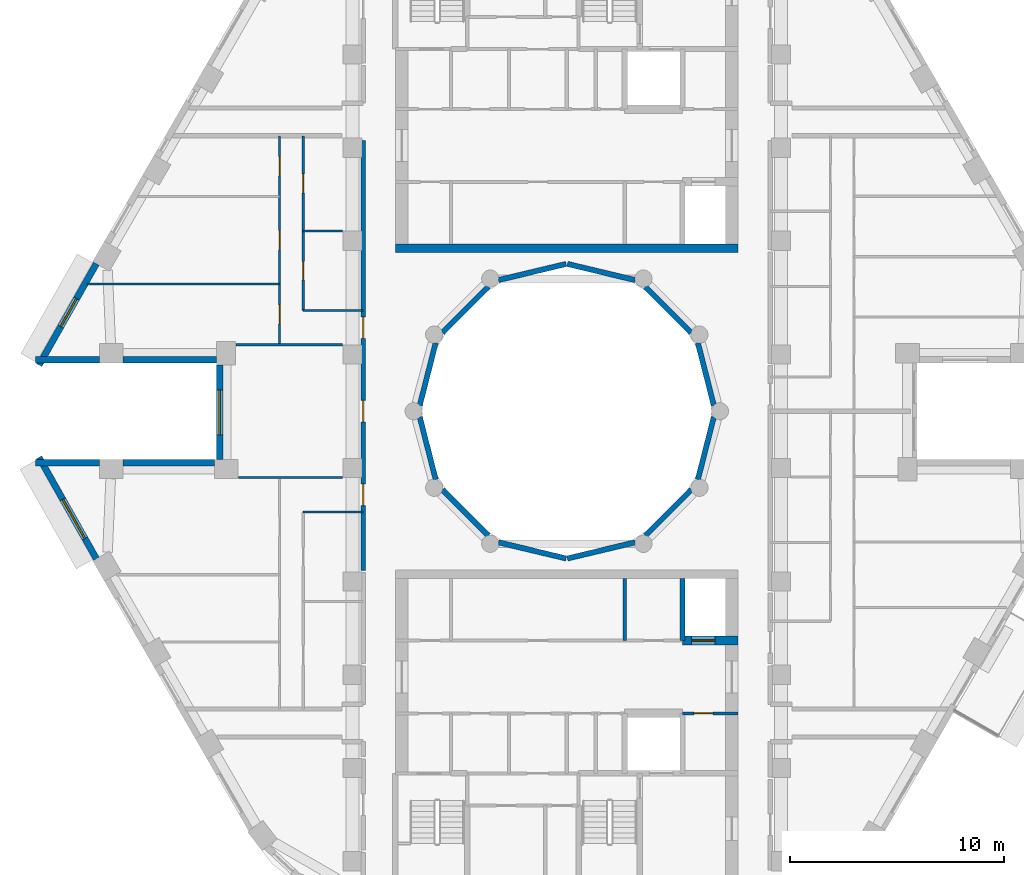
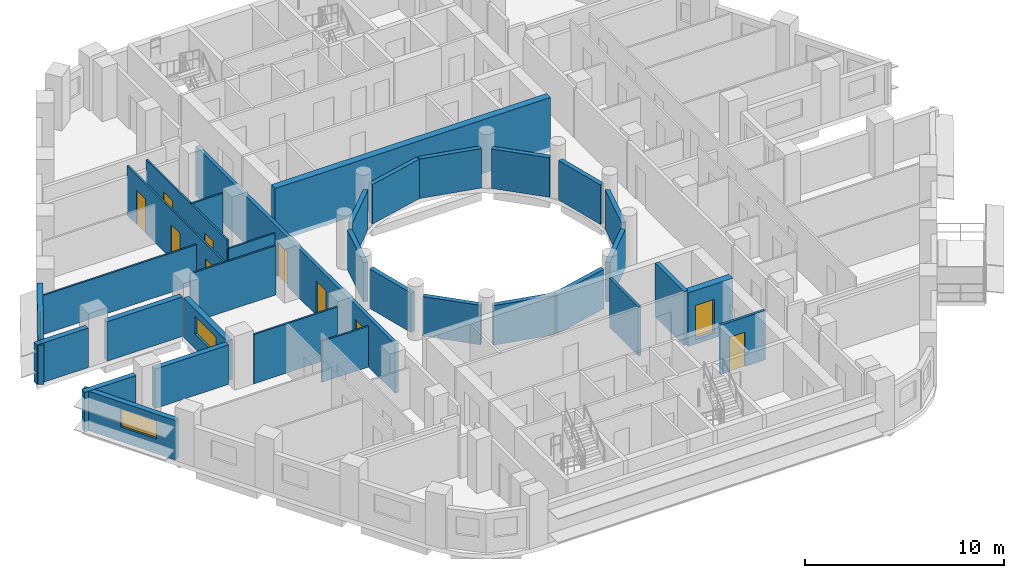
# One storey, part 4 of 12: 33 walls, 10 doors, 3 windows, 13 openings.
"""IFC4 building model written with IfcOpenShell, lengths in metres."""

from ifc_helpers import new_model, si_unit, direction, frame, frame_2d, origin, place, context, subcontext, project, spatial, rectangle, extrude, material, layer, layer_set, type_object, element, fill, save


model = new_model("IFC4")

# Units and contexts
model_context = context("Model", 3, precision=1e-05, world=origin(), true_north=direction((0.0, 1.0)))
body_context = subcontext(model_context, "Body", "Model", "MODEL_VIEW")
ifc_project = project(units=[si_unit("LENGTHUNIT", "METRE"), si_unit("AREAUNIT", "SQUARE_METRE"), si_unit("VOLUMEUNIT", "CUBIC_METRE"), si_unit("PLANEANGLEUNIT", "RADIAN"), si_unit("MASSUNIT", "GRAM", prefix="KILO")], contexts=[model_context])

# Site, building, storey
site_placement = place(None, origin())
site = spatial("IfcSite", under=ifc_project, at=site_placement, CompositionType="ELEMENT")
building_placement = place(site_placement, origin())
building = spatial("IfcBuilding", under=site, at=building_placement, Name="Nakaniwa Court", CompositionType="ELEMENT")
storey_placement = place(building_placement, frame((0.0, 0.0, 232.800048828125)))
storey = spatial("IfcBuildingStorey", under=building, at=storey_placement, Name="L60", CompositionType="ELEMENT", Elevation=232.800048828125)

# Wall, openings, doors
ifc_material_1 = material(Name="Acoustic double stud partition")
ifc_layer_1 = layer(ifc_material_1, 0.199951171875)
ifc_layer_set_1 = layer_set([ifc_layer_1], Name="Acoustic double stud partition")
wall_type_1 = type_object("IfcWallType", Name="Acoustic double stud partition 200", PredefinedType="PARTITIONING", material=ifc_layer_set_1)
wall_1_placement = place(storey_placement, frame((70.5, 72.576904296875, 0.0), z_axis=(0.0, 0.0, 1.0), x_axis=(0.0, 1.0, 0.0)))
wall_1 = element("IfcWall", 1, at=wall_1_placement, inside=storey, type_object=wall_type_1, Name="Partition PW-086", PredefinedType="PARTITIONING", context=body_context, shape_type="SweptSolid", body=[
    extrude(rectangle(XDim=20.051025390625, YDim=0.199951171875, at=frame_2d((10.025390625, 0.0))), origin(), (0.0, 0.0, 1.0), 3.02490234375),
])
opening_1_placement = place(wall_1_placement, frame((3.02294921875, 0.0, 0.0)))
opening_1 = element("IfcOpeningElement", 2, at=opening_1_placement, cuts=wall_1, Name="Opening D-01-03", PredefinedType="OPENING", context=body_context, shape_type="SweptSolid", body=[
    extrude(rectangle(XDim=1.0, YDim=2.10009765625, at=frame_2d((0.5, 1.050048828125))), frame((0.0, 0.10986328125, 0.0), z_axis=(0.0, -1.0, 0.0), x_axis=(1.0, 0.0, 0.0)), (0.0, 0.0, 1.0), 0.219970703125),
])
opening_2_placement = place(wall_1_placement, frame((6.923095703125, 0.0, 0.0)))
opening_2 = element("IfcOpeningElement", 3, at=opening_2_placement, cuts=wall_1, Name="Opening D-02-04", PredefinedType="OPENING", context=body_context, shape_type="SweptSolid", body=[
    extrude(rectangle(XDim=1.0, YDim=2.10009765625, at=frame_2d((0.5, 1.050048828125))), frame((0.0, 0.10986328125, 0.0), z_axis=(0.0, -1.0, 0.0), x_axis=(1.0, 0.0, 0.0)), (0.0, 0.0, 1.0), 0.219970703125),
])
opening_3_placement = place(wall_1_placement, frame((10.822998046875, 0.0, 0.0)))
opening_3 = element("IfcOpeningElement", 4, at=opening_3_placement, cuts=wall_1, Name="Opening D-01-04", PredefinedType="OPENING", context=body_context, shape_type="SweptSolid", body=[
    extrude(rectangle(XDim=1.0, YDim=2.10009765625, at=frame_2d((0.5, 1.050048828125))), frame((0.0, 0.10986328125, 0.0), z_axis=(0.0, -1.0, 0.0), x_axis=(1.0, 0.0, 0.0)), (0.0, 0.0, 1.0), 0.219970703125),
])
ifc_material_2 = material(Name="Solid core timber door set, black veneer", Category="wood")
door_type_1 = type_object("IfcDoorType", Name="Flat entrance door 1000", OperationType="NOTDEFINED", PredefinedType="DOOR", material=ifc_material_2)
door_1_placement = place(opening_1_placement, origin())
door_1 = element("IfcDoor", 5, at=door_1_placement, inside=storey, type_object=door_type_1, Name="Door D-01-03 L60-048", OperationType="SINGLE_SWING_LEFT", OverallHeight=2.10009765625, OverallWidth=1.0, PredefinedType="DOOR", context=body_context, shape_type="SweptSolid", body=[
    extrude(rectangle(XDim=1.0, YDim=2.10009765625, at=frame_2d((0.5, 1.050048828125))), frame((0.0, 0.02490234375, 0.0), z_axis=(0.0, -1.0, 0.0), x_axis=(1.0, 0.0, 0.0)), (0.0, 0.0, 1.0), 0.050048828125),
])
fill(opening_1, door_1)
door_2_placement = place(opening_3_placement, origin())
door_2 = element("IfcDoor", 6, at=door_2_placement, inside=storey, type_object=door_type_1, Name="Door D-01-04 L60-055", OperationType="SINGLE_SWING_RIGHT", OverallHeight=2.10009765625, OverallWidth=1.0, PredefinedType="DOOR", context=body_context, shape_type="SweptSolid", body=[
    extrude(rectangle(XDim=1.0, YDim=2.10009765625, at=frame_2d((0.5, 1.050048828125))), frame((0.0, 0.02490234375, 0.0), z_axis=(0.0, -1.0, 0.0), x_axis=(1.0, 0.0, 0.0)), (0.0, 0.0, 1.0), 0.050048828125),
])
fill(opening_3, door_2)
door_type_2 = type_object("IfcDoorType", Name="Internal door 1000", OperationType="NOTDEFINED", PredefinedType="DOOR", material=ifc_material_2)
door_3_placement = place(opening_2_placement, origin())
door_3 = element("IfcDoor", 7, at=door_3_placement, inside=storey, type_object=door_type_2, Name="Door D-02-04 L60-054", OperationType="SINGLE_SWING_LEFT", OverallHeight=2.10009765625, OverallWidth=1.0, PredefinedType="DOOR", context=body_context, shape_type="SweptSolid", body=[
    extrude(rectangle(XDim=1.0, YDim=2.10009765625, at=frame_2d((0.5, 1.050048828125))), frame((0.0, 0.02490234375, 0.0), z_axis=(0.0, -1.0, 0.0), x_axis=(1.0, 0.0, 0.0)), (0.0, 0.0, 1.0), 0.050048828125),
])
fill(opening_2, door_3)

# Wall, opening, window
ifc_material_3 = material(Name="Charcoal ceramic cladding")
ifc_layer_2 = layer(ifc_material_3, 0.02, Name="Ceramic cladding")
ifc_material_4 = material(Name="Ventilated air cavity")
ifc_layer_3 = layer(ifc_material_4, 0.04, ventilated=True, Name="Ventilated cavity")
ifc_material_5 = material(Name="Mineral wool insulation")
ifc_layer_4 = layer(ifc_material_5, 0.1, Name="Insulation")
ifc_material_6 = material(Name="Cement bonded sheathing board")
ifc_layer_5 = layer(ifc_material_6, 0.012, Name="Sheathing")
ifc_material_7 = material(Name="Cold-formed galvanised stud frame with mineral wool infill")
ifc_layer_6 = layer(ifc_material_7, 0.1, Name="Stud frame")
ifc_material_8 = material(Name="Fire-rated gypsum plasterboard lining")
ifc_layer_7 = layer(ifc_material_8, 0.028, Name="Lining")
ifc_layer_set_2 = layer_set([ifc_layer_2, ifc_layer_3, ifc_layer_4, ifc_layer_5, ifc_layer_6, ifc_layer_7], Name="Charcoal ceramic faced external wall system")
wall_type_2 = type_object("IfcWallType", Name="Black ceramic faced external wall 300", PredefinedType="SOLIDWALL", material=ifc_layer_set_2)
wall_2_placement = place(storey_placement, frame((58.048095703125, 86.886474609375, 0.0), z_axis=(0.0, 0.0, 1.0), x_axis=(-0.492080931903, -0.870549456641, 0.0)))
wall_2 = element("IfcWall", 8, at=wall_2_placement, inside=storey, type_object=wall_type_2, Name="L60 external wall 14", PredefinedType="SOLIDWALL", context=body_context, shape_type="SweptSolid", body=[
    extrude(rectangle(XDim=5.436767578125, YDim=0.300048828125, at=frame_2d((2.71826171875, 0.0))), origin(), (0.0, 0.0, 1.0), 2.425048828125),
])
opening_4_placement = place(wall_2_placement, frame((1.877685546875, 0.0, 0.89990234375)))
opening_4 = element("IfcOpeningElement", 9, at=opening_4_placement, cuts=wall_2, Name="Opening W5.17", PredefinedType="OPENING", context=body_context, shape_type="SweptSolid", body=[
    extrude(rectangle(XDim=1.5, YDim=1.10009765625, at=frame_2d((0.75, 0.550048828125))), frame((0.0, 0.159912109375, 0.0), z_axis=(0.0, -1.0, 0.0), x_axis=(1.0, 0.0, 0.0)), (0.0, 0.0, 1.0), 0.320068359375),
])
ifc_material_9 = material(Name="Black anodised aluminium frame with dark low-E laminated double glazing", Category="aluminium")
window_type_1 = type_object("IfcWindowType", Name="Dark glass window 1500x1100 sill 900", PartitioningType="SINGLE_PANEL", PredefinedType="WINDOW", material=ifc_material_9)
window_1_placement = place(opening_4_placement, origin())
window_1 = element("IfcWindow", 10, at=window_1_placement, inside=storey, type_object=window_type_1, Name="L60 bedroom window 14-1", OverallHeight=1.10009765625, OverallWidth=1.5, PartitioningType="SINGLE_PANEL", PredefinedType="WINDOW", context=body_context, shape_type="SweptSolid", body=[
    extrude(rectangle(XDim=1.5, YDim=1.10009765625, at=frame_2d((0.75, 0.550048828125))), frame((0.0, 0.030029296875, 0.0), z_axis=(0.0, -1.0, 0.0), x_axis=(1.0, 0.0, 0.0)), (0.0, 0.0, 1.0), 0.06005859375),
])
fill(opening_4, window_1)

# Walls
wall_3_placement = place(storey_placement, frame((55.2021484375, 82.39990234375, 0.0), z_axis=(0.0, 0.0, 1.0), x_axis=(1.0, 0.0, 0.0)))
element("IfcWall", 11, at=wall_3_placement, inside=storey, type_object=wall_type_2, Name="L60 external wall 15", PredefinedType="SOLIDWALL", context=body_context, shape_type="SweptSolid", body=[
    extrude(rectangle(XDim=2.98779296875, YDim=0.300048828125, at=frame_2d((1.493896484375, 0.0))), origin(), (0.0, 0.0, 1.0), 2.425048828125),
])
wall_4_placement = place(storey_placement, frame((59.281982421875, 82.39990234375, 0.0), z_axis=(0.0, 0.0, 1.0), x_axis=(1.0, 0.0, 0.0)))
element("IfcWall", 12, at=wall_4_placement, inside=storey, type_object=wall_type_2, Name="L60 external wall 16", PredefinedType="SOLIDWALL", context=body_context, shape_type="SweptSolid", body=[
    extrude(rectangle(XDim=4.37255859375, YDim=0.300048828125, at=frame_2d((2.186279296875, 0.0))), origin(), (0.0, 0.0, 1.0), 2.425048828125),
])

# Wall, opening, window
wall_5_placement = place(storey_placement, frame((63.800537109375, 82.154052734375, 0.0), z_axis=(0.0, 0.0, 1.0), x_axis=(0.0, -1.0, 0.0)))
wall_5 = element("IfcWall", 13, at=wall_5_placement, inside=storey, type_object=wall_type_2, Name="L60 external wall 17", PredefinedType="SOLIDWALL", context=body_context, shape_type="SweptSolid", body=[
    extrude(rectangle(XDim=4.407958984375, YDim=0.300048828125, at=frame_2d((2.2041015625, 0.0))), origin(), (0.0, 0.0, 1.0), 2.425048828125),
])
opening_5_placement = place(wall_5_placement, frame((1.154052734375, 0.0, 0.89990234375)))
opening_5 = element("IfcOpeningElement", 14, at=opening_5_placement, cuts=wall_5, Name="Opening W7.18", PredefinedType="OPENING", context=body_context, shape_type="SweptSolid", body=[
    extrude(rectangle(XDim=2.10009765625, YDim=1.10009765625, at=frame_2d((1.050048828125, 0.550048828125))), frame((0.0, 0.159912109375, 0.0), z_axis=(0.0, -1.0, 0.0), x_axis=(1.0, 0.0, 0.0)), (0.0, 0.0, 1.0), 0.320068359375),
])
window_type_2 = type_object("IfcWindowType", Name="Dark glass window 2100x1100 sill 900", PartitioningType="SINGLE_PANEL", PredefinedType="WINDOW", material=ifc_material_9)
window_2_placement = place(opening_5_placement, origin())
window_2 = element("IfcWindow", 15, at=window_2_placement, inside=storey, type_object=window_type_2, Name="L60 habitable room window 17-0", OverallHeight=1.10009765625, OverallWidth=2.10009765625, PartitioningType="SINGLE_PANEL", PredefinedType="WINDOW", context=body_context, shape_type="SweptSolid", body=[
    extrude(rectangle(XDim=2.10009765625, YDim=1.10009765625, at=frame_2d((1.050048828125, 0.550048828125))), frame((0.0, 0.030029296875, 0.0), z_axis=(0.0, -1.0, 0.0), x_axis=(1.0, 0.0, 0.0)), (0.0, 0.0, 1.0), 0.06005859375),
])
fill(opening_5, window_2)

# Walls
wall_6_placement = place(storey_placement, frame((63.554443359375, 77.60009765625, 0.0), z_axis=(0.0, 0.0, 1.0), x_axis=(-1.0, 0.0, 0.0)))
element("IfcWall", 16, at=wall_6_placement, inside=storey, type_object=wall_type_2, Name="L60 external wall 18", PredefinedType="SOLIDWALL", context=body_context, shape_type="SweptSolid", body=[
    extrude(rectangle(XDim=4.2724609375, YDim=0.300048828125, at=frame_2d((2.13623046875, 0.0))), origin(), (0.0, 0.0, 1.0), 2.425048828125),
])
wall_7_placement = place(storey_placement, frame((58.18994140625, 77.60009765625, 0.0), z_axis=(0.0, 0.0, 1.0), x_axis=(-1.0, 0.0, 0.0)))
element("IfcWall", 17, at=wall_7_placement, inside=storey, type_object=wall_type_2, Name="L60 external wall 19", PredefinedType="SOLIDWALL", context=body_context, shape_type="SweptSolid", body=[
    extrude(rectangle(XDim=2.98779296875, YDim=0.300048828125, at=frame_2d((1.493896484375, 0.0))), origin(), (0.0, 0.0, 1.0), 2.425048828125),
])

# Wall, opening, window
wall_8_placement = place(storey_placement, frame((55.372802734375, 77.846435546875, 0.0), z_axis=(0.0, 0.0, 1.0), x_axis=(0.492080931903, -0.870549456641, 0.0)))
wall_8 = element("IfcWall", 18, at=wall_8_placement, inside=storey, type_object=wall_type_2, Name="L60 external wall 20", PredefinedType="SOLIDWALL", context=body_context, shape_type="SweptSolid", body=[
    extrude(rectangle(XDim=5.436767578125, YDim=0.300048828125, at=frame_2d((2.71826171875, 0.0))), origin(), (0.0, 0.0, 1.0), 2.425048828125),
])
opening_6_placement = place(wall_8_placement, frame((2.247314453125, 0.0, 0.89990234375)))
opening_6 = element("IfcOpeningElement", 19, at=opening_6_placement, cuts=wall_8, Name="Opening W7.19", PredefinedType="OPENING", context=body_context, shape_type="SweptSolid", body=[
    extrude(rectangle(XDim=2.10009765625, YDim=1.10009765625, at=frame_2d((1.050048828125, 0.550048828125))), frame((0.0, 0.159912109375, 0.0), z_axis=(0.0, -1.0, 0.0), x_axis=(1.0, 0.0, 0.0)), (0.0, 0.0, 1.0), 0.320068359375),
])
window_3_placement = place(opening_6_placement, origin())
window_3 = element("IfcWindow", 20, at=window_3_placement, inside=storey, type_object=window_type_2, Name="L60 living window 20-0", OverallHeight=1.10009765625, OverallWidth=2.10009765625, PartitioningType="SINGLE_PANEL", PredefinedType="WINDOW", context=body_context, shape_type="SweptSolid", body=[
    extrude(rectangle(XDim=2.10009765625, YDim=1.10009765625, at=frame_2d((1.050048828125, 0.550048828125))), frame((0.0, 0.030029296875, 0.0), z_axis=(0.0, -1.0, 0.0), x_axis=(1.0, 0.0, 0.0)), (0.0, 0.0, 1.0), 0.06005859375),
])
fill(opening_6, window_3)

# Wall
ifc_material_10 = material(Name="Blockwork partition", Category="masonry")
ifc_layer_8 = layer(ifc_material_10, 0.14990234375)
ifc_layer_set_3 = layer_set([ifc_layer_8], Name="Blockwork partition")
wall_type_3 = type_object("IfcWallType", Name="Blockwork partition 150", PredefinedType="PARTITIONING", material=ifc_layer_set_3)
wall_9_placement = place(storey_placement, frame((82.699951171875, 69.300048828125, 0.0), z_axis=(0.0, 0.0, 1.0), x_axis=(0.0, 1.0, 0.0)))
element("IfcWall", 21, at=wall_9_placement, inside=storey, type_object=wall_type_3, Name="Partition PW-037", PredefinedType="PARTITIONING", context=body_context, shape_type="SweptSolid", body=[
    extrude(rectangle(XDim=2.89990234375, YDim=0.14990234375, at=frame_2d((1.449951171875, 0.0))), origin(), (0.0, 0.0, 1.0), 3.02490234375),
])

# Wall, opening, door
wall_10_placement = place(storey_placement, frame((88.0, 65.89990234375, 0.0), z_axis=(0.0, 0.0, 1.0), x_axis=(-1.0, 0.0, 0.0)))
wall_10 = element("IfcWall", 22, at=wall_10_placement, inside=storey, type_object=wall_type_3, Name="Partition PW-039", PredefinedType="PARTITIONING", context=body_context, shape_type="SweptSolid", body=[
    extrude(rectangle(XDim=2.60302734375, YDim=0.14990234375, at=frame_2d((1.301513671875, 0.0))), origin(), (0.0, 0.0, 1.0), 3.02490234375),
])
opening_7_placement = place(wall_10_placement, frame((1.175048828125, 0.0, 0.0)))
opening_7 = element("IfcOpeningElement", 23, at=opening_7_placement, cuts=wall_10, Name="Opening D-05-16", PredefinedType="OPENING", context=body_context, shape_type="SweptSolid", body=[
    extrude(rectangle(XDim=0.89990234375, YDim=2.10009765625, at=frame_2d((0.449951171875, 1.050048828125))), frame((0.0, 0.0849609375, 0.0), z_axis=(0.0, -1.0, 0.0), x_axis=(1.0, 0.0, 0.0)), (0.0, 0.0, 1.0), 0.169921875),
])
ifc_material_11 = material(Name="Fire rated steel door set", Category="steel")
door_type_3 = type_object("IfcDoorType", Name="Service room door 900", OperationType="NOTDEFINED", PredefinedType="DOOR", material=ifc_material_11)
door_4_placement = place(opening_7_placement, origin())
door_4 = element("IfcDoor", 24, at=door_4_placement, inside=storey, type_object=door_type_3, Name="Door D-05-16 L60-023", OperationType="SINGLE_SWING_RIGHT", OverallHeight=2.10009765625, OverallWidth=0.89990234375, PredefinedType="DOOR", context=body_context, shape_type="SweptSolid", body=[
    extrude(rectangle(XDim=0.89990234375, YDim=2.10009765625, at=frame_2d((0.449951171875, 1.050048828125))), frame((0.0, 0.02490234375, 0.0), z_axis=(0.0, -1.0, 0.0), x_axis=(1.0, 0.0, 0.0)), (0.0, 0.0, 1.0), 0.050048828125),
])
fill(opening_7, door_4)

# Walls
ifc_layer_9 = layer(ifc_material_3, 0.02, Name="Ceramic cladding")
ifc_layer_10 = layer(ifc_material_4, 0.04, ventilated=True, Name="Ventilated cavity")
ifc_layer_11 = layer(ifc_material_5, 0.075, Name="Insulation")
ifc_layer_12 = layer(ifc_material_6, 0.012, Name="Sheathing")
ifc_layer_13 = layer(ifc_material_7, 0.075, Name="Stud frame")
ifc_layer_14 = layer(ifc_material_8, 0.028, Name="Lining")
ifc_layer_set_4 = layer_set([ifc_layer_9, ifc_layer_10, ifc_layer_11, ifc_layer_12, ifc_layer_13, ifc_layer_14], Name="Charcoal ceramic faced external wall system")
wall_type_4 = type_object("IfcWallType", Name="Charcoal ceramic faced well wall 250", PredefinedType="SOLIDWALL", material=ifc_layer_set_4)
wall_11_placement = place(storey_placement, frame((86.8603515625, 79.72998046875, 0.0), z_axis=(0.0, 0.0, 1.0), x_axis=(-0.247055971283, -0.969001211069, 0.0)))
element("IfcWall", 25, at=wall_11_placement, inside=storey, type_object=wall_type_4, Name="L60 external wall 36", PredefinedType="SOLIDWALL", context=body_context, shape_type="SweptSolid", body=[
    extrude(rectangle(XDim=3.010009765625, YDim=0.25, at=frame_2d((1.5048828125, 0.0))), origin(), (0.0, 0.0, 1.0), 2.425048828125),
])
wall_12_placement = place(storey_placement, frame((85.8056640625, 76.339111328125, 0.0), z_axis=(0.0, 0.0, 1.0), x_axis=(-0.707106781187, -0.707106781187, 0.0)))
element("IfcWall", 26, at=wall_12_placement, inside=storey, type_object=wall_type_4, Name="L60 external wall 37", PredefinedType="SOLIDWALL", context=body_context, shape_type="SweptSolid", body=[
    extrude(rectangle(XDim=3.033203125, YDim=0.25, at=frame_2d((1.5166015625, 0.0))), origin(), (0.0, 0.0, 1.0), 2.425048828125),
])
for number, where, z_axis, x_axis, name in (
    (27, (83.186279296875, 73.880615234375, 0.0), (0.0, 0.0, 1.0), (-0.972773113459, -0.231759508395, 0.0), "L60 external wall 38"),
    (28, (79.970947265625, 73.12841796875, 0.0), (0.0, 0.0, 1.0), (-0.972773113459, 0.231759508395, 0.0), "L60 external wall 39"),
):
    element("IfcWall", number, at=place(storey_placement, frame(where, z_axis=z_axis, x_axis=x_axis)), inside=storey, type_object=wall_type_4, Name=name, PredefinedType="SOLIDWALL", context=body_context, shape_type="SweptSolid", body=[
        extrude(rectangle(XDim=3.24560546875, YDim=0.25, at=frame_2d((1.622802734375, 0.0))), origin(), (0.0, 0.0, 1.0), 2.425048828125),
    ])
wall_13_placement = place(storey_placement, frame((76.339111328125, 74.1943359375, 0.0), z_axis=(0.0, 0.0, 1.0), x_axis=(-0.707106781187, 0.707106781187, 0.0)))
element("IfcWall", 29, at=wall_13_placement, inside=storey, type_object=wall_type_4, Name="L60 external wall 40", PredefinedType="SOLIDWALL", context=body_context, shape_type="SweptSolid", body=[
    extrude(rectangle(XDim=3.033203125, YDim=0.25, at=frame_2d((1.5166015625, 0.0))), origin(), (0.0, 0.0, 1.0), 2.425048828125),
])
for number, where, z_axis, x_axis, name in (
    (30, (73.88330078125, 76.813232421875, 0.0), (0.0, 0.0, 1.0), (-0.247055971283, 0.969001211069, 0.0), "L60 external wall 41"),
    (31, (73.1396484375, 80.27001953125, 0.0), (0.0, 0.0, 1.0), (0.247055971283, 0.969001211069, 0.0), "L60 external wall 42"),
):
    element("IfcWall", number, at=place(storey_placement, frame(where, z_axis=z_axis, x_axis=x_axis)), inside=storey, type_object=wall_type_4, Name=name, PredefinedType="SOLIDWALL", context=body_context, shape_type="SweptSolid", body=[
        extrude(rectangle(XDim=3.010009765625, YDim=0.25, at=frame_2d((1.5048828125, 0.0))), origin(), (0.0, 0.0, 1.0), 2.425048828125),
    ])
wall_14_placement = place(storey_placement, frame((74.1943359375, 83.660888671875, 0.0), z_axis=(0.0, 0.0, 1.0), x_axis=(0.707106781187, 0.707106781187, 0.0)))
element("IfcWall", 32, at=wall_14_placement, inside=storey, type_object=wall_type_4, Name="L60 external wall 43", PredefinedType="SOLIDWALL", context=body_context, shape_type="SweptSolid", body=[
    extrude(rectangle(XDim=3.033203125, YDim=0.25, at=frame_2d((1.5166015625, 0.0))), origin(), (0.0, 0.0, 1.0), 2.425048828125),
])
for number, where, z_axis, x_axis, name in (
    (33, (76.813720703125, 86.119384765625, 0.0), (0.0, 0.0, 1.0), (0.972773113459, 0.231759508395, 0.0), "L60 external wall 44"),
    (34, (80.029052734375, 86.87158203125, 0.0), (0.0, 0.0, 1.0), (0.972773113459, -0.231759508395, 0.0), "L60 external wall 45"),
):
    element("IfcWall", number, at=place(storey_placement, frame(where, z_axis=z_axis, x_axis=x_axis)), inside=storey, type_object=wall_type_4, Name=name, PredefinedType="SOLIDWALL", context=body_context, shape_type="SweptSolid", body=[
        extrude(rectangle(XDim=3.24560546875, YDim=0.25, at=frame_2d((1.622802734375, 0.0))), origin(), (0.0, 0.0, 1.0), 2.425048828125),
    ])
wall_15_placement = place(storey_placement, frame((83.660888671875, 85.8056640625, 0.0), z_axis=(0.0, 0.0, 1.0), x_axis=(0.707106781187, -0.707106781187, 0.0)))
element("IfcWall", 35, at=wall_15_placement, inside=storey, type_object=wall_type_4, Name="L60 external wall 46", PredefinedType="SOLIDWALL", context=body_context, shape_type="SweptSolid", body=[
    extrude(rectangle(XDim=3.033203125, YDim=0.25, at=frame_2d((1.5166015625, 0.0))), origin(), (0.0, 0.0, 1.0), 2.425048828125),
])
wall_16_placement = place(storey_placement, frame((86.11669921875, 83.186767578125, 0.0), z_axis=(0.0, 0.0, 1.0), x_axis=(0.247055971283, -0.969001211069, 0.0)))
element("IfcWall", 36, at=wall_16_placement, inside=storey, type_object=wall_type_4, Name="L60 external wall 47", PredefinedType="SOLIDWALL", context=body_context, shape_type="SweptSolid", body=[
    extrude(rectangle(XDim=3.010009765625, YDim=0.25, at=frame_2d((1.5048828125, 0.0))), origin(), (0.0, 0.0, 1.0), 2.425048828125),
])

# Wall, opening, door
ifc_material_12 = material(Name="Concrete C80/100", Category="concrete")
ifc_layer_15 = layer(ifc_material_12, 0.39990234375)
ifc_layer_set_5 = layer_set([ifc_layer_15], Name="Concrete C80/100")
wall_type_5 = type_object("IfcWallType", Name="Concrete core spine wall 400 C80", PredefinedType="SHEAR", material=ifc_layer_set_5)
wall_17_placement = place(storey_placement, frame((85.39990234375, 69.300048828125, -0.275146484375), z_axis=(0.0, 0.0, 1.0), x_axis=(1.0, 0.0, 0.0)))
wall_17 = element("IfcWall", 37, at=wall_17_placement, inside=storey, type_object=wall_type_5, Name="Core wall SW-35", PredefinedType="SHEAR", context=body_context, shape_type="SweptSolid", body=[
    extrude(rectangle(XDim=2.60009765625, YDim=0.39990234375, at=frame_2d((1.300048828125, 0.0))), origin(), (0.0, 0.0, 1.0), 3.300048828125),
])
opening_8_placement = place(wall_17_placement, frame((0.425048828125, 0.0, 0.27490234375)))
opening_8 = element("IfcOpeningElement", 38, at=opening_8_placement, cuts=wall_17, Name="Opening LD03", PredefinedType="OPENING", context=body_context, shape_type="SweptSolid", body=[
    extrude(rectangle(XDim=1.10009765625, YDim=2.10009765625, at=frame_2d((0.550048828125, 1.050048828125))), frame((0.0, 0.2099609375, 0.0), z_axis=(0.0, -1.0, 0.0), x_axis=(1.0, 0.0, 0.0)), (0.0, 0.0, 1.0), 0.419921875),
])
ifc_material_13 = material(Name="Stainless steel sliding lift landing door", Category="steel")
door_type_4 = type_object("IfcDoorType", Name="Lift landing door 1100", OperationType="NOTDEFINED", PredefinedType="DOOR", material=ifc_material_13)
door_5_placement = place(opening_8_placement, origin())
door_5 = element("IfcDoor", 39, at=door_5_placement, inside=storey, type_object=door_type_4, Name="Lift landing door LD03 L60-003", OperationType="SLIDING_TO_LEFT", OverallHeight=2.10009765625, OverallWidth=1.10009765625, PredefinedType="DOOR", context=body_context, shape_type="SweptSolid", body=[
    extrude(rectangle(XDim=1.10009765625, YDim=2.10009765625, at=frame_2d((0.550048828125, 1.050048828125))), frame((0.0, 0.02490234375, 0.0), z_axis=(0.0, -1.0, 0.0), x_axis=(1.0, 0.0, 0.0)), (0.0, 0.0, 1.0), 0.050048828125),
])
fill(opening_8, door_5)

# Walls
ifc_layer_16 = layer(ifc_material_12, 0.39990234375)
ifc_layer_set_6 = layer_set([ifc_layer_16], Name="Concrete C80/100")
wall_type_6 = type_object("IfcWallType", Name="Concrete core well wall 400 C80", PredefinedType="SHEAR", material=ifc_layer_set_6)
wall_18_placement = place(storey_placement, frame((72.00390625, 87.60009765625, -0.275146484375), z_axis=(0.0, 0.0, 1.0), x_axis=(1.0, 0.0, 0.0)))
element("IfcWall", 40, at=wall_18_placement, inside=storey, type_object=wall_type_6, Name="Core wall SW-120", PredefinedType="SHEAR", context=body_context, shape_type="SweptSolid", body=[
    extrude(rectangle(XDim=15.9921875, YDim=0.39990234375, at=frame_2d((7.99609375, 0.0))), origin(), (0.0, 0.0, 1.0), 3.300048828125),
])
ifc_layer_17 = layer(ifc_material_12, 0.25)
ifc_layer_set_7 = layer_set([ifc_layer_17], Name="Concrete C80/100")
wall_type_7 = type_object("IfcWallType", Name="Concrete shaft wall 250 C80", PredefinedType="SHEAR", material=ifc_layer_set_7)
wall_19_placement = place(storey_placement, frame((85.39990234375, 69.300048828125, -0.275146484375), z_axis=(0.0, 0.0, 1.0), x_axis=(0.0, 1.0, 0.0)))
element("IfcWall", 41, at=wall_19_placement, inside=storey, type_object=wall_type_7, Name="Core wall SW-34", PredefinedType="SHEAR", context=body_context, shape_type="SweptSolid", body=[
    extrude(rectangle(XDim=2.89990234375, YDim=0.25, at=frame_2d((1.449951171875, 0.0))), origin(), (0.0, 0.0, 1.0), 3.300048828125),
])

# Wall, openings, doors
ifc_material_14 = material(Name="Single stud plasterboard partition")
ifc_layer_18 = layer(ifc_material_14, 0.10009765625)
ifc_layer_set_8 = layer_set([ifc_layer_18], Name="Single stud plasterboard partition")
wall_type_8 = type_object("IfcWallType", Name="Single stud plasterboard partition 100", PredefinedType="PARTITIONING", material=ifc_layer_set_8)
wall_20_placement = place(storey_placement, frame((67.699951171875, 92.85009765625, 0.0), z_axis=(0.0, 0.0, 1.0), x_axis=(0.0, -1.0, 0.0)))
wall_20 = element("IfcWall", 42, at=wall_20_placement, inside=storey, type_object=wall_type_8, Name="Partition PW-108", PredefinedType="PARTITIONING", context=body_context, shape_type="SweptSolid", body=[
    extrude(rectangle(XDim=8.150146484375, YDim=0.10009765625, at=frame_2d((4.0751953125, 0.0))), origin(), (0.0, 0.0, 1.0), 3.02490234375),
])
opening_9_placement = place(wall_20_placement, frame((5.873046875, 0.0, 0.0)))
opening_9 = element("IfcOpeningElement", 43, at=opening_9_placement, cuts=wall_20, Name="Opening D-03-06", PredefinedType="OPENING", context=body_context, shape_type="SweptSolid", body=[
    extrude(rectangle(XDim=0.85009765625, YDim=2.10009765625, at=frame_2d((0.425048828125, 1.050048828125))), frame((0.0, 0.06005859375, 0.0), z_axis=(0.0, -1.0, 0.0), x_axis=(1.0, 0.0, 0.0)), (0.0, 0.0, 1.0), 0.1201171875),
])
opening_10_placement = place(wall_20_placement, frame((1.77294921875, 0.0, 0.0)))
opening_10 = element("IfcOpeningElement", 44, at=opening_10_placement, cuts=wall_20, Name="Opening D-33-15", PredefinedType="OPENING", context=body_context, shape_type="SweptSolid", body=[
    extrude(rectangle(XDim=0.89990234375, YDim=2.10009765625, at=frame_2d((0.449951171875, 1.050048828125))), frame((0.0, 0.06005859375, 0.0), z_axis=(0.0, -1.0, 0.0), x_axis=(1.0, 0.0, 0.0)), (0.0, 0.0, 1.0), 0.1201171875),
])
ifc_material_15 = material(Name="Moisture sealed timber door set", Category="wood")
door_type_5 = type_object("IfcDoorType", Name="Bathroom door 850", OperationType="NOTDEFINED", PredefinedType="DOOR", material=ifc_material_15)
door_6_placement = place(opening_9_placement, origin())
door_6 = element("IfcDoor", 45, at=door_6_placement, inside=storey, type_object=door_type_5, Name="Door D-03-06 L60-056", OperationType="SINGLE_SWING_LEFT", OverallHeight=2.10009765625, OverallWidth=0.85009765625, PredefinedType="DOOR", context=body_context, shape_type="SweptSolid", body=[
    extrude(rectangle(XDim=0.85009765625, YDim=2.10009765625, at=frame_2d((0.425048828125, 1.050048828125))), frame((0.0, 0.02490234375, 0.0), z_axis=(0.0, -1.0, 0.0), x_axis=(1.0, 0.0, 0.0)), (0.0, 0.0, 1.0), 0.050048828125),
])
fill(opening_9, door_6)
door_type_6 = type_object("IfcDoorType", Name="Internal door 900", OperationType="NOTDEFINED", PredefinedType="DOOR", material=ifc_material_2)
door_7_placement = place(opening_10_placement, origin())
door_7 = element("IfcDoor", 46, at=door_7_placement, inside=storey, type_object=door_type_6, Name="Door D-33-15 L60-057", OperationType="SINGLE_SWING_RIGHT", OverallHeight=2.10009765625, OverallWidth=0.89990234375, PredefinedType="DOOR", context=body_context, shape_type="SweptSolid", body=[
    extrude(rectangle(XDim=0.89990234375, YDim=2.10009765625, at=frame_2d((0.449951171875, 1.050048828125))), frame((0.0, 0.02490234375, 0.0), z_axis=(0.0, -1.0, 0.0), x_axis=(1.0, 0.0, 0.0)), (0.0, 0.0, 1.0), 0.050048828125),
])
fill(opening_10, door_7)

# Wall
wall_21_placement = place(storey_placement, frame((67.699951171875, 75.300048828125, 0.0), z_axis=(0.0, 0.0, 1.0), x_axis=(1.0, 0.0, 0.0)))
element("IfcWall", 47, at=wall_21_placement, inside=storey, type_object=wall_type_8, Name="Partition PW-109", PredefinedType="PARTITIONING", context=body_context, shape_type="SweptSolid", body=[
    extrude(rectangle(XDim=2.800048828125, YDim=0.10009765625, at=frame_2d((1.39990234375, 0.0))), origin(), (0.0, 0.0, 1.0), 2.5048828125),
])

# Wall, openings, doors
wall_22_placement = place(storey_placement, frame((66.60009765625, 83.10009765625, 0.0), z_axis=(0.0, 0.0, 1.0), x_axis=(0.0, 1.0, 0.0)))
wall_22 = element("IfcWall", 48, at=wall_22_placement, inside=storey, type_object=wall_type_8, Name="Partition PW-111", PredefinedType="PARTITIONING", context=body_context, shape_type="SweptSolid", body=[
    extrude(rectangle(XDim=9.75, YDim=0.10009765625, at=frame_2d((4.875, 0.0))), origin(), (0.0, 0.0, 1.0), 3.02490234375),
])
opening_11_placement = place(wall_22_placement, frame((0.965087890625, 0.0, 0.0)))
opening_11 = element("IfcOpeningElement", 49, at=opening_11_placement, cuts=wall_22, Name="Opening D-33-16", PredefinedType="OPENING", context=body_context, shape_type="SweptSolid", body=[
    extrude(rectangle(XDim=0.89990234375, YDim=2.10009765625, at=frame_2d((0.449951171875, 1.050048828125))), frame((0.0, 0.06005859375, 0.0), z_axis=(0.0, -1.0, 0.0), x_axis=(1.0, 0.0, 0.0)), (0.0, 0.0, 1.0), 0.1201171875),
])
opening_12_placement = place(wall_22_placement, frame((4.425048828125, 0.0, 0.0)))
opening_12 = element("IfcOpeningElement", 50, at=opening_12_placement, cuts=wall_22, Name="Opening D-33-17", PredefinedType="OPENING", context=body_context, shape_type="SweptSolid", body=[
    extrude(rectangle(XDim=0.89990234375, YDim=2.10009765625, at=frame_2d((0.449951171875, 1.050048828125))), frame((0.0, 0.06005859375, 0.0), z_axis=(0.0, -1.0, 0.0), x_axis=(1.0, 0.0, 0.0)), (0.0, 0.0, 1.0), 0.1201171875),
])
opening_13_placement = place(wall_22_placement, frame((7.885009765625, 0.0, 0.0)))
opening_13 = element("IfcOpeningElement", 51, at=opening_13_placement, cuts=wall_22, Name="Opening D-33-18", PredefinedType="OPENING", context=body_context, shape_type="SweptSolid", body=[
    extrude(rectangle(XDim=0.89990234375, YDim=2.10009765625, at=frame_2d((0.449951171875, 1.050048828125))), frame((0.0, 0.06005859375, 0.0), z_axis=(0.0, -1.0, 0.0), x_axis=(1.0, 0.0, 0.0)), (0.0, 0.0, 1.0), 0.1201171875),
])
door_8_placement = place(opening_11_placement, origin())
door_8 = element("IfcDoor", 52, at=door_8_placement, inside=storey, type_object=door_type_6, Name="Door D-33-16 L60-058", OperationType="SINGLE_SWING_LEFT", OverallHeight=2.10009765625, OverallWidth=0.89990234375, PredefinedType="DOOR", context=body_context, shape_type="SweptSolid", body=[
    extrude(rectangle(XDim=0.89990234375, YDim=2.10009765625, at=frame_2d((0.449951171875, 1.050048828125))), frame((0.0, 0.02490234375, 0.0), z_axis=(0.0, -1.0, 0.0), x_axis=(1.0, 0.0, 0.0)), (0.0, 0.0, 1.0), 0.050048828125),
])
fill(opening_11, door_8)
door_9_placement = place(opening_12_placement, origin())
door_9 = element("IfcDoor", 53, at=door_9_placement, inside=storey, type_object=door_type_6, Name="Door D-33-17 L60-059", OperationType="SINGLE_SWING_RIGHT", OverallHeight=2.10009765625, OverallWidth=0.89990234375, PredefinedType="DOOR", context=body_context, shape_type="SweptSolid", body=[
    extrude(rectangle(XDim=0.89990234375, YDim=2.10009765625, at=frame_2d((0.449951171875, 1.050048828125))), frame((0.0, 0.02490234375, 0.0), z_axis=(0.0, -1.0, 0.0), x_axis=(1.0, 0.0, 0.0)), (0.0, 0.0, 1.0), 0.050048828125),
])
fill(opening_12, door_9)
door_10_placement = place(opening_13_placement, origin())
door_10 = element("IfcDoor", 54, at=door_10_placement, inside=storey, type_object=door_type_6, Name="Door D-33-18 L60-060", OperationType="SINGLE_SWING_LEFT", OverallHeight=2.10009765625, OverallWidth=0.89990234375, PredefinedType="DOOR", context=body_context, shape_type="SweptSolid", body=[
    extrude(rectangle(XDim=0.89990234375, YDim=2.10009765625, at=frame_2d((0.449951171875, 1.050048828125))), frame((0.0, 0.02490234375, 0.0), z_axis=(0.0, -1.0, 0.0), x_axis=(1.0, 0.0, 0.0)), (0.0, 0.0, 1.0), 0.050048828125),
])
fill(opening_13, door_10)

# Walls
wall_23_placement = place(storey_placement, frame((64.67041015625, 76.89990234375, 0.0), z_axis=(0.0, 0.0, 1.0), x_axis=(1.0, 0.0, 0.0)))
element("IfcWall", 55, at=wall_23_placement, inside=storey, type_object=wall_type_8, Name="Partition PW-112", PredefinedType="PARTITIONING", context=body_context, shape_type="SweptSolid", body=[
    extrude(rectangle(XDim=4.859619140625, YDim=0.10009765625, at=frame_2d((2.4296875, 0.0))), origin(), (0.0, 0.0, 1.0), 3.02490234375),
])
wall_24_placement = place(storey_placement, frame((64.570556640625, 83.10009765625, 0.0), z_axis=(0.0, 0.0, 1.0), x_axis=(1.0, 0.0, 0.0)))
element("IfcWall", 56, at=wall_24_placement, inside=storey, type_object=wall_type_8, Name="Partition PW-115", PredefinedType="PARTITIONING", context=body_context, shape_type="SweptSolid", body=[
    extrude(rectangle(XDim=4.95947265625, YDim=0.10009765625, at=frame_2d((2.479736328125, 0.0))), origin(), (0.0, 0.0, 1.0), 3.02490234375),
])
wall_25_placement = place(storey_placement, frame((67.699951171875, 88.404052734375, 0.0), z_axis=(0.0, 0.0, 1.0), x_axis=(1.0, 0.0, 0.0)))
element("IfcWall", 57, at=wall_25_placement, inside=storey, type_object=wall_type_8, Name="Partition PW-116", PredefinedType="PARTITIONING", context=body_context, shape_type="SweptSolid", body=[
    extrude(rectangle(XDim=1.830078125, YDim=0.10009765625, at=frame_2d((0.9150390625, 0.0))), origin(), (0.0, 0.0, 1.0), 3.02490234375),
])
wall_26_placement = place(storey_placement, frame((67.699951171875, 84.699951171875, 0.0), z_axis=(0.0, 0.0, 1.0), x_axis=(1.0, 0.0, 0.0)))
element("IfcWall", 58, at=wall_26_placement, inside=storey, type_object=wall_type_8, Name="Partition PW-117", PredefinedType="PARTITIONING", context=body_context, shape_type="SweptSolid", body=[
    extrude(rectangle(XDim=2.800048828125, YDim=0.10009765625, at=frame_2d((1.39990234375, 0.0))), origin(), (0.0, 0.0, 1.0), 2.5048828125),
])
wall_27_placement = place(storey_placement, frame((57.616455078125, 85.930908203125, 0.0), z_axis=(0.0, 0.0, 1.0), x_axis=(1.0, 0.0, 0.0)))
element("IfcWall", 59, at=wall_27_placement, inside=storey, type_object=wall_type_8, Name="Partition PW-118", PredefinedType="PARTITIONING", context=body_context, shape_type="SweptSolid", body=[
    extrude(rectangle(XDim=8.983642578125, YDim=0.10009765625, at=frame_2d((4.49169921875, 0.0))), origin(), (0.0, 0.0, 1.0), 2.405029296875),
])

save(model, "model.ifc")
